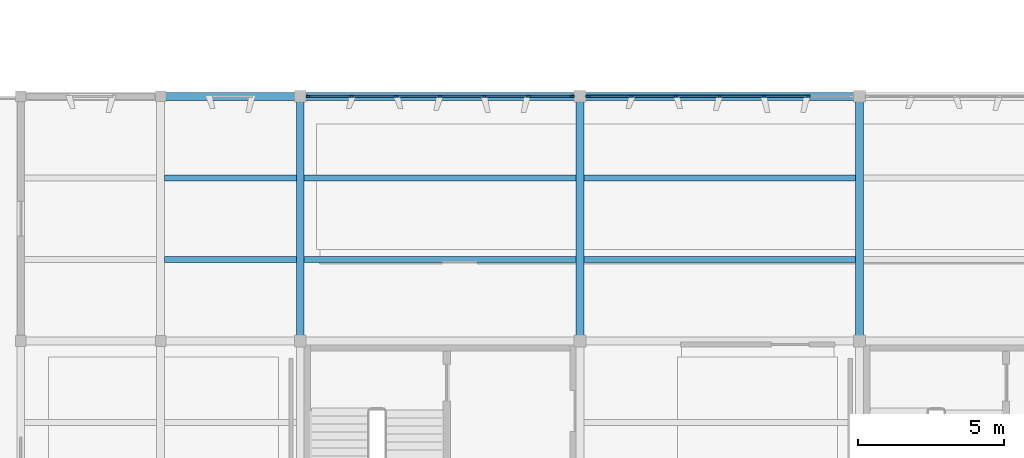
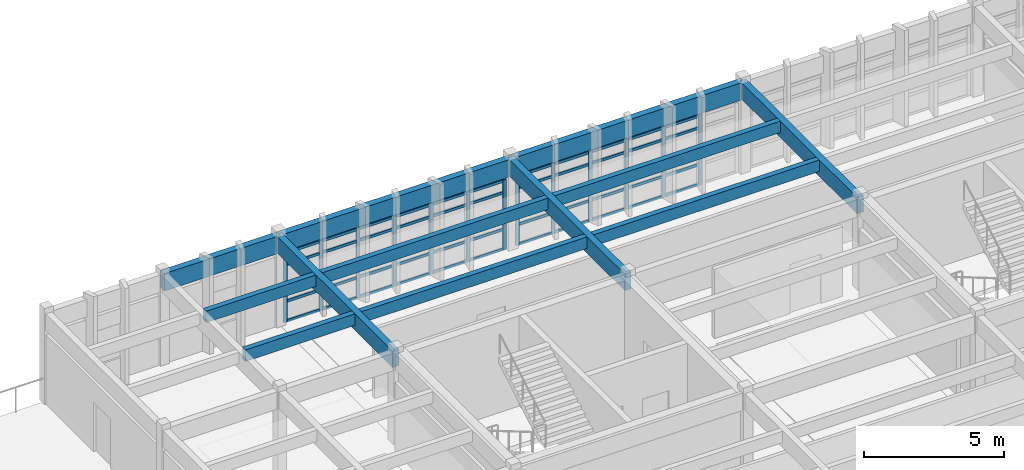
# One storey, part 10 of 42: 57 members, 12 beams, 2 elements without a shape of their own.
"""IFC4 building model written with IfcOpenShell, lengths in metres."""

import ifcopenshell
import ifcopenshell.guid

model = None  # the IFC model being written
_history = None  # IfcOwnerHistory: only IFC2X3 demands one
_inside = {}  # id of a spatial element -> (the spatial element, [elements in it])
_under = {}  # id of a project, library or spatial element -> (it, [spatial elements below it])
_declared = {}  # id of a project -> (the project, [libraries it declares])
_typed = {}  # id of a type object -> (the type object, [elements of that type])
_made_of = {}  # id of a material, layer set ... -> (it, [elements and type objects made of it])


def new_model(schema):
    """Start an empty IFC model of exactly this schema.

    Asked for "IFC4X3", IfcOpenShell would pick the latest addendum, in which some entities
    have other attributes; the version numbers below select the first issue.
    IFC2X3 requires an IfcOwnerHistory on every rooted entity: one is made here for all.
    """
    global model, _history
    if schema == "IFC4X3":
        model = ifcopenshell.file(schema_version=(4, 3, 0, 0))
    else:
        model = ifcopenshell.file(schema=schema)
    _inside.clear()
    _under.clear()
    _declared.clear()
    _typed.clear()
    _made_of.clear()
    _history = None
    if model.schema == "IFC2X3":
        org = make("IfcOrganization", Name="unknown")
        user = make(
            "IfcPersonAndOrganization",
            ThePerson=make("IfcPerson", FamilyName="unknown"),
            TheOrganization=org,
        )
        app = make(
            "IfcApplication",
            ApplicationDeveloper=org,
            Version="unknown",
            ApplicationFullName="unknown",
            ApplicationIdentifier="unknown",
        )
        _history = make(
            "IfcOwnerHistory",
            OwningUser=user,
            OwningApplication=app,
            ChangeAction="ADDED",
            CreationDate=0,
        )
    return model


def make(cls, **values):
    """One entity of the class cls with the attributes given. An attribute that is None is left unset."""
    return model.create_entity(
        cls, **{name: value for name, value in values.items() if value is not None}
    )


def rooted(cls, **values):
    """An entity with a GlobalId (a new one), such as an element, a storey or a relation."""
    return make(cls, GlobalId=ifcopenshell.guid.new(), OwnerHistory=_history, **values)


def si_unit(unit_type, name, prefix=None):
    """IfcSIUnit, for example si_unit("LENGTHUNIT", "METRE", prefix="MILLI")."""
    return make("IfcSIUnit", UnitType=unit_type, Prefix=prefix, Name=name)


def assignment(units):
    """IfcUnitAssignment: the units of a project."""
    return None if units is None else make("IfcUnitAssignment", Units=units)


def point(xyz):
    """IfcCartesianPoint."""
    return None if xyz is None else make("IfcCartesianPoint", Coordinates=xyz)


def direction(xyz):
    """IfcDirection."""
    return None if xyz is None else make("IfcDirection", DirectionRatios=xyz)


def frame(location, z_axis=None, x_axis=None):
    """IfcAxis2Placement3D, a coordinate frame: its origin and axes. An axis left out is left unset."""
    return make(
        "IfcAxis2Placement3D",
        Location=point(location),
        Axis=direction(z_axis),
        RefDirection=direction(x_axis),
    )


def frame_2d(location, x_axis=None):
    """IfcAxis2Placement2D, a coordinate frame in the plane: its origin and x axis."""
    return make(
        "IfcAxis2Placement2D", Location=point(location), RefDirection=direction(x_axis)
    )


def origin():
    """The frame at (0, 0, 0) with its axes left unset."""
    return frame((0.0, 0.0, 0.0))


def origin_2d():
    """The frame at (0, 0) in the plane with its x axis left unset."""
    return frame_2d((0.0, 0.0))


def place(relative_to, where):
    """IfcLocalPlacement: puts the frame where relative to a parent placement (None: the world)."""
    return make(
        "IfcLocalPlacement", PlacementRelTo=relative_to, RelativePlacement=where
    )


def context(
    kind, dimensions, precision=None, world=None, true_north=None, identifier=None
):
    """IfcGeometricRepresentationContext, for example the 3D "Model" context."""
    return make(
        "IfcGeometricRepresentationContext",
        ContextIdentifier=identifier,
        ContextType=kind,
        CoordinateSpaceDimension=dimensions,
        Precision=precision,
        WorldCoordinateSystem=world,
        TrueNorth=true_north,
    )


def subcontext(parent, identifier, kind, view, scale=None):
    """IfcGeometricRepresentationSubContext, for example "Body" below "Model"."""
    return make(
        "IfcGeometricRepresentationSubContext",
        ContextIdentifier=identifier,
        ContextType=kind,
        ParentContext=parent,
        TargetScale=scale,
        TargetView=view,
    )


def project(units=None, contexts=None):
    """IfcProject with its units and contexts."""
    return rooted(
        "IfcProject",
        Name="project",
        RepresentationContexts=contexts,
        UnitsInContext=assignment(units),
    )


def spatial(cls, under=None, at=None, **own):
    """A site, building, storey or space (cls), placed at a placement, below another one or the project."""
    s = rooted(cls, ObjectPlacement=at, **own)
    if under is not None:
        _under.setdefault(under.id(), (under, []))[1].append(s)
    return s


def profile(cls, at=None, kind="AREA", **sizes):
    """A parametric profile (cls). Its sizes go by their IFC names, for example OverallWidth=200.0."""
    return make(cls, ProfileType=kind, Position=at, **sizes)


def rectangle(**sizes):
    """IfcRectangleProfileDef."""
    return profile("IfcRectangleProfileDef", **sizes)


def extrude(swept, where, along, depth):
    """IfcExtrudedAreaSolid: the profile swept, set in the frame where, extruded along a direction by depth."""
    return make(
        "IfcExtrudedAreaSolid",
        SweptArea=swept,
        Position=where,
        ExtrudedDirection=direction(along),
        Depth=depth,
    )


def shape(context_of_items, identifier, shape_type, items):
    """IfcShapeRepresentation: the items that make up one representation, for example the "Body"."""
    return make(
        "IfcShapeRepresentation",
        ContextOfItems=context_of_items,
        RepresentationIdentifier=identifier,
        RepresentationType=shape_type,
        Items=items,
    )


def material(Name=None, Category=None):
    """IfcMaterial."""
    return make("IfcMaterial", Name=Name, Category=Category)


def layer(
    of_material, thickness, ventilated=None, Name=None, Category=None, Priority=None
):
    """IfcMaterialLayer: one layer of a wall or slab, of a material (None: an air gap)."""
    return make(
        "IfcMaterialLayer",
        Material=of_material,
        LayerThickness=thickness,
        IsVentilated=ventilated,
        Name=Name,
        Category=Category,
        Priority=Priority,
    )


def layer_set(layers, Name=None):
    """IfcMaterialLayerSet."""
    return make("IfcMaterialLayerSet", MaterialLayers=layers, LayerSetName=Name)


def material_profile(
    of_material, cross_section, Name=None, Category=None, Priority=None
):
    """IfcMaterialProfile: a cross section and its material."""
    return make(
        "IfcMaterialProfile",
        Name=Name,
        Material=of_material,
        Profile=cross_section,
        Priority=Priority,
        Category=Category,
    )


def profile_set(profiles, Name=None, composite=None):
    """IfcMaterialProfileSet."""
    return make(
        "IfcMaterialProfileSet",
        Name=Name,
        MaterialProfiles=profiles,
        CompositeProfile=composite,
    )


def made_of(thing, what):
    """Note that an element or type object is made of a material, layer set ...; save() writes the relation."""
    if what is not None:
        _made_of.setdefault(what.id(), (what, []))[1].append(thing)
    return thing


def type_object(cls, material=None, **own):
    """A type object (cls), such as IfcWallType, which elements share."""
    return made_of(rooted(cls, **own), material)


def element(
    cls,
    number,
    at=None,
    inside=None,
    cuts=None,
    type_object=None,
    material=None,
    context=None,
    identifier="Body",
    shape_type=None,
    held_by="IfcProductDefinitionShape",
    body=None,
    shapes=None,
    **own,
):
    """One element of the class cls, such as IfcWall. Its Tag is "e" and its number.

    at: its placement. inside: the storey or other place that contains it. cuts: it is an
    opening in that element (IfcRelVoidsElement). A single representation is given by context,
    identifier, shape_type and body (its items); several are given by shapes. held_by: the class
    of the entity that holds the representations. save() writes the other relations.
    """
    e = rooted(cls, Tag="e%d" % number, ObjectPlacement=at, **own)
    if body is not None:
        shapes = [shape(context, identifier, shape_type, body)]
    if shapes is not None:
        e.Representation = make(held_by, Representations=shapes)
    if inside is not None:
        _inside.setdefault(inside.id(), (inside, []))[1].append(e)
    if cuts is not None:
        rooted(
            "IfcRelVoidsElement", RelatingBuildingElement=cuts, RelatedOpeningElement=e
        )
    if type_object is not None:
        _typed.setdefault(type_object.id(), (type_object, []))[1].append(e)
    return made_of(e, material)


def aggregate(whole, parts):
    """IfcRelAggregates: a whole, such as a stair, and the parts it consists of."""
    return rooted("IfcRelAggregates", RelatingObject=whole, RelatedObjects=parts)


def save(model, path):
    """Write the relations noted so far, then the file.

    IfcRelAggregates (storeys below a building ...), IfcRelContainedInSpatialStructure (elements
    in a storey), IfcRelDefinesByType, IfcRelAssociatesMaterial and IfcRelDeclares: one each for
    every whole, place, type object, material and project.
    """
    for whole, parts in _under.values():
        aggregate(whole, parts)
    for where, things in _inside.values():
        rooted(
            "IfcRelContainedInSpatialStructure",
            RelatedElements=things,
            RelatingStructure=where,
        )
    for kind, things in _typed.values():
        rooted("IfcRelDefinesByType", RelatedObjects=things, RelatingType=kind)
    for what, things in _made_of.values():
        rooted("IfcRelAssociatesMaterial", RelatedObjects=things, RelatingMaterial=what)
    for by, libraries in _declared.values():
        rooted("IfcRelDeclares", RelatingContext=by, RelatedDefinitions=libraries)
    model.write(path)


model = new_model("IFC4")

# Units and contexts
model_context = context("Model", 3, precision=1e-05, world=origin(), true_north=direction((0.0, 1.0)))
body_context = subcontext(model_context, "Body", "Model", "MODEL_VIEW")
ifc_project = project(units=[si_unit("LENGTHUNIT", "METRE"), si_unit("AREAUNIT", "SQUARE_METRE"), si_unit("VOLUMEUNIT", "CUBIC_METRE"), si_unit("PLANEANGLEUNIT", "RADIAN"), si_unit("MASSUNIT", "GRAM", prefix="KILO")], contexts=[model_context])

# Site, building, storey
site_placement = place(None, origin())
site = spatial("IfcSite", under=ifc_project, at=site_placement, CompositionType="ELEMENT")
building_placement = place(site_placement, origin())
building = spatial("IfcBuilding", under=site, at=building_placement, Name="Kolvemor Railside Polytechnic", CompositionType="ELEMENT")
storey_placement = place(building_placement, frame((0.0, 0.0, 14.39990234375)))
storey = spatial("IfcBuildingStorey", under=building, at=storey_placement, Name="L03", CompositionType="ELEMENT", Elevation=14.39990234375)

# Beams
ifc_material_1 = material(Name="Glulam GL28h", Category="wood")
ifc_material_profile_1 = material_profile(ifc_material_1, rectangle(XDim=0.264892578125, YDim=0.760009765625, at=origin_2d()), Name="GL265x760")
ifc_profile_set_1 = profile_set([ifc_material_profile_1], Name="Glulam GL28h")
beam_type_1 = type_object("IfcBeamType", Name="BM-GL-GIRD1", PredefinedType="BEAM", material=ifc_profile_set_1)
beam_1_placement = place(storey_placement, frame((62.39990234375, 38.39990234375, 3.570068359375), z_axis=(1.0, 0.0, 0.0), x_axis=(0.0, 1.0, 0.0)))
element("IfcBeam", 1, at=beam_1_placement, inside=storey, type_object=beam_type_1, Name="Primary Girder L04-GX 1404", PredefinedType="BEAM", context=body_context, shape_type="SweptSolid", body=[
    extrude(rectangle(XDim=0.264892578125, YDim=0.760009765625, at=origin_2d()), origin(), (0.0, 0.0, 1.0), 4.800048828125),
])
beam_2_placement = place(storey_placement, frame((67.199951171875, 38.39990234375, 3.570068359375), z_axis=(1.0, 0.0, 0.0), x_axis=(0.0, 1.0, 0.0)))
element("IfcBeam", 2, at=beam_2_placement, inside=storey, type_object=beam_type_1, Name="Primary Girder L04-GX 1405", PredefinedType="BEAM", context=body_context, shape_type="SweptSolid", body=[
    extrude(rectangle(XDim=0.264892578125, YDim=0.760009765625, at=origin_2d()), origin(), (0.0, 0.0, 1.0), 9.60009765625),
])
beam_3_placement = place(storey_placement, frame((76.800048828125, 38.39990234375, 3.570068359375), z_axis=(1.0, 0.0, 0.0), x_axis=(0.0, 1.0, 0.0)))
element("IfcBeam", 3, at=beam_3_placement, inside=storey, type_object=beam_type_1, Name="Primary Girder L04-GX 1406", PredefinedType="BEAM", context=body_context, shape_type="SweptSolid", body=[
    extrude(rectangle(XDim=0.264892578125, YDim=0.760009765625, at=origin_2d()), origin(), (0.0, 0.0, 1.0), 9.599853515625),
])
ifc_material_2 = material(Name="Glulam GL28h", Category="wood")
ifc_material_profile_2 = material_profile(ifc_material_2, rectangle(XDim=0.264892578125, YDim=0.719970703125, at=origin_2d()), Name="GL265x720")
ifc_profile_set_2 = profile_set([ifc_material_profile_2], Name="Glulam GL28h")
beam_type_2 = type_object("IfcBeamType", Name="BM-GL-GIRD4", PredefinedType="BEAM", material=ifc_profile_set_2)
for number, where, z_axis, x_axis, name in (
    (4, (67.199951171875, 30.0, 3.590087890625), (0.0, 1.0, 0.0), (-1.0, 0.0, 0.0), "Primary Girder L04-GY 1423"),
    (5, (76.800048828125, 30.0, 3.590087890625), (0.0, 1.0, 0.0), (-1.0, 0.0, 0.0), "Primary Girder L04-GY 1427"),
    (6, (86.39990234375, 30.0, 3.590087890625), (0.0, 1.0, 0.0), (-1.0, 0.0, 0.0), "Primary Girder L04-GY 1431"),
):
    element("IfcBeam", number, at=place(storey_placement, frame(where, z_axis=z_axis, x_axis=x_axis)), inside=storey, type_object=beam_type_2, Name=name, PredefinedType="BEAM", context=body_context, shape_type="SweptSolid", body=[
        extrude(rectangle(XDim=0.264892578125, YDim=0.719970703125, at=origin_2d()), origin(), (0.0, 0.0, 1.0), 8.39990234375),
    ])
ifc_material_3 = material(Name="Glulam GL28h", Category="wood")
ifc_material_profile_3 = material_profile(ifc_material_3, rectangle(XDim=0.215087890625, YDim=0.5, at=origin_2d()), Name="GL215x500")
ifc_profile_set_3 = profile_set([ifc_material_profile_3], Name="Glulam GL28h")
beam_type_3 = type_object("IfcBeamType", Name="BM-GL-JST3", PredefinedType="JOIST", material=ifc_profile_set_3)
for number, where, z_axis, x_axis, name in (
    (7, (62.532958984375, 32.800048828125, 3.7001953125), (1.0, 0.0, 0.0), (0.0, 1.0, 0.0), "Floor Joist L04-J1466"),
    (8, (62.532958984375, 35.60009765625, 3.7001953125), (1.0, 0.0, 0.0), (0.0, 1.0, 0.0), "Floor Joist L04-J1467"),
):
    element("IfcBeam", number, at=place(storey_placement, frame(where, z_axis=z_axis, x_axis=x_axis)), inside=storey, type_object=beam_type_3, Name=name, PredefinedType="JOIST", context=body_context, shape_type="SweptSolid", body=[
        extrude(rectangle(XDim=0.215087890625, YDim=0.5, at=origin_2d()), origin(), (0.0, 0.0, 1.0), 4.533935546875),
    ])
for number, where, z_axis, x_axis, name in (
    (9, (67.3330078125, 32.800048828125, 3.7001953125), (1.0, 0.0, 0.0), (0.0, 1.0, 0.0), "Floor Joist L04-J1472"),
    (10, (67.3330078125, 35.60009765625, 3.7001953125), (1.0, 0.0, 0.0), (0.0, 1.0, 0.0), "Floor Joist L04-J1473"),
    (11, (76.93310546875, 32.800048828125, 3.7001953125), (1.0, 0.0, 0.0), (0.0, 1.0, 0.0), "Floor Joist L04-J1480"),
    (12, (76.93310546875, 35.60009765625, 3.7001953125), (1.0, 0.0, 0.0), (0.0, 1.0, 0.0), "Floor Joist L04-J1481"),
):
    element("IfcBeam", number, at=place(storey_placement, frame(where, z_axis=z_axis, x_axis=x_axis)), inside=storey, type_object=beam_type_3, Name=name, PredefinedType="JOIST", context=body_context, shape_type="SweptSolid", body=[
        extrude(rectangle(XDim=0.215087890625, YDim=0.5, at=origin_2d()), origin(), (0.0, 0.0, 1.0), 9.333984375),
    ])

# Curtain wall, members
ifc_material_4 = material(Name="Anodised marine aluminium and laminated low-E glass", Category="aluminium")
ifc_layer = layer(ifc_material_4, 0.179931640625, Name="CW-UNIT-STD")
ifc_layer_set = layer_set([ifc_layer], Name="Anodised marine aluminium and laminated low-E glass")
curtain_wall_type = type_object("IfcCurtainWallType", Name="CW-UNIT-STD", PredefinedType="USERDEFINED", material=ifc_layer_set)
curtain_wall_1_placement = place(storey_placement, origin())
curtain_wall_1 = element("IfcCurtainWall", 13, at=curtain_wall_1_placement, inside=storey, type_object=curtain_wall_type, Name="Curtain Wall L03-126", ObjectType="UNITISED CURTAIN WALL", PredefinedType="USERDEFINED")
ifc_material_5 = material(Name="Anodised marine aluminium 6063-T6", Category="aluminium")
ifc_material_profile_4 = material_profile(ifc_material_5, rectangle(XDim=0.06494140625, YDim=0.14990234375, at=origin_2d()), Name="CW-MUL-65x150")
ifc_profile_set_4 = profile_set([ifc_material_profile_4], Name="Anodised marine aluminium 6063-T6")
member_type_1 = type_object("IfcMemberType", Name="CWM-65x150", PredefinedType="MULLION", material=ifc_profile_set_4)
member_1_placement = place(storey_placement, frame((76.527587890625, 38.39990234375, 0.0), z_axis=(0.0, 0.0, 1.0), x_axis=(0.0, -1.0, 0.0)))
member_1 = element("IfcMember", 14, at=member_1_placement, type_object=member_type_1, Name="CW-STD mullion 1", PredefinedType="MULLION", context=body_context, shape_type="SweptSolid", body=[
    extrude(rectangle(XDim=0.06494140625, YDim=0.14990234375, at=origin_2d()), origin(), (0.0, 0.0, 1.0), 3.050048828125),
])
member_2_placement = place(storey_placement, frame((75.0400390625, 38.39990234375, 0.0), z_axis=(0.0, 0.0, 1.0), x_axis=(0.0, -1.0, 0.0)))
member_2 = element("IfcMember", 15, at=member_2_placement, type_object=member_type_1, Name="CW-STD mullion 2", PredefinedType="MULLION", context=body_context, shape_type="SweptSolid", body=[
    extrude(rectangle(XDim=0.06494140625, YDim=0.14990234375, at=origin_2d()), origin(), (0.0, 0.0, 1.0), 3.050048828125),
])
member_3_placement = place(storey_placement, frame((73.52001953125, 38.39990234375, 0.0), z_axis=(0.0, 0.0, 1.0), x_axis=(0.0, -1.0, 0.0)))
member_3 = element("IfcMember", 16, at=member_3_placement, type_object=member_type_1, Name="CW-STD mullion 3", PredefinedType="MULLION", context=body_context, shape_type="SweptSolid", body=[
    extrude(rectangle(XDim=0.06494140625, YDim=0.14990234375, at=origin_2d()), origin(), (0.0, 0.0, 1.0), 3.050048828125),
])
member_4_placement = place(storey_placement, frame((72.0, 38.39990234375, 0.0), z_axis=(0.0, 0.0, 1.0), x_axis=(0.0, -1.0, 0.0)))
member_4 = element("IfcMember", 17, at=member_4_placement, type_object=member_type_1, Name="CW-STD mullion 4", PredefinedType="MULLION", context=body_context, shape_type="SweptSolid", body=[
    extrude(rectangle(XDim=0.06494140625, YDim=0.14990234375, at=origin_2d()), origin(), (0.0, 0.0, 1.0), 3.050048828125),
])
member_5_placement = place(storey_placement, frame((70.47998046875, 38.39990234375, 0.0), z_axis=(0.0, 0.0, 1.0), x_axis=(0.0, -1.0, 0.0)))
member_5 = element("IfcMember", 18, at=member_5_placement, type_object=member_type_1, Name="CW-STD mullion 5", PredefinedType="MULLION", context=body_context, shape_type="SweptSolid", body=[
    extrude(rectangle(XDim=0.06494140625, YDim=0.14990234375, at=origin_2d()), origin(), (0.0, 0.0, 1.0), 3.050048828125),
])
member_6_placement = place(storey_placement, frame((68.9599609375, 38.39990234375, 0.0), z_axis=(0.0, 0.0, 1.0), x_axis=(0.0, -1.0, 0.0)))
member_6 = element("IfcMember", 19, at=member_6_placement, type_object=member_type_1, Name="CW-STD mullion 6", PredefinedType="MULLION", context=body_context, shape_type="SweptSolid", body=[
    extrude(rectangle(XDim=0.06494140625, YDim=0.14990234375, at=origin_2d()), origin(), (0.0, 0.0, 1.0), 3.050048828125),
])
member_7_placement = place(storey_placement, frame((67.472412109375, 38.39990234375, 0.0), z_axis=(0.0, 0.0, 1.0), x_axis=(0.0, -1.0, 0.0)))
member_7 = element("IfcMember", 20, at=member_7_placement, type_object=member_type_1, Name="CW-STD mullion 7", PredefinedType="MULLION", context=body_context, shape_type="SweptSolid", body=[
    extrude(rectangle(XDim=0.06494140625, YDim=0.14990234375, at=origin_2d()), origin(), (0.0, 0.0, 1.0), 3.050048828125),
])

curtain_wall_2_placement = place(storey_placement, origin())
curtain_wall_2 = element("IfcCurtainWall", 21, at=curtain_wall_2_placement, inside=storey, type_object=curtain_wall_type, Name="Curtain Wall L03-127", ObjectType="UNITISED CURTAIN WALL", PredefinedType="USERDEFINED")
member_8_placement = place(storey_placement, frame((84.639892578125, 38.39990234375, 0.0), z_axis=(0.0, 0.0, 1.0), x_axis=(0.0, -1.0, 0.0)))
member_8 = element("IfcMember", 22, at=member_8_placement, type_object=member_type_1, Name="CW-STD mullion 2", PredefinedType="MULLION", context=body_context, shape_type="SweptSolid", body=[
    extrude(rectangle(XDim=0.06494140625, YDim=0.14990234375, at=origin_2d()), origin(), (0.0, 0.0, 1.0), 3.050048828125),
])
member_9_placement = place(storey_placement, frame((83.1201171875, 38.39990234375, 0.0), z_axis=(0.0, 0.0, 1.0), x_axis=(0.0, -1.0, 0.0)))
member_9 = element("IfcMember", 23, at=member_9_placement, type_object=member_type_1, Name="CW-STD mullion 3", PredefinedType="MULLION", context=body_context, shape_type="SweptSolid", body=[
    extrude(rectangle(XDim=0.06494140625, YDim=0.14990234375, at=origin_2d()), origin(), (0.0, 0.0, 1.0), 3.050048828125),
])
member_10_placement = place(storey_placement, frame((81.60009765625, 38.39990234375, 0.0), z_axis=(0.0, 0.0, 1.0), x_axis=(0.0, -1.0, 0.0)))
member_10 = element("IfcMember", 24, at=member_10_placement, type_object=member_type_1, Name="CW-STD mullion 4", PredefinedType="MULLION", context=body_context, shape_type="SweptSolid", body=[
    extrude(rectangle(XDim=0.06494140625, YDim=0.14990234375, at=origin_2d()), origin(), (0.0, 0.0, 1.0), 3.050048828125),
])
member_11_placement = place(storey_placement, frame((80.080078125, 38.39990234375, 0.0), z_axis=(0.0, 0.0, 1.0), x_axis=(0.0, -1.0, 0.0)))
member_11 = element("IfcMember", 25, at=member_11_placement, type_object=member_type_1, Name="CW-STD mullion 5", PredefinedType="MULLION", context=body_context, shape_type="SweptSolid", body=[
    extrude(rectangle(XDim=0.06494140625, YDim=0.14990234375, at=origin_2d()), origin(), (0.0, 0.0, 1.0), 3.050048828125),
])
member_12_placement = place(storey_placement, frame((78.56005859375, 38.39990234375, 0.0), z_axis=(0.0, 0.0, 1.0), x_axis=(0.0, -1.0, 0.0)))
member_12 = element("IfcMember", 26, at=member_12_placement, type_object=member_type_1, Name="CW-STD mullion 6", PredefinedType="MULLION", context=body_context, shape_type="SweptSolid", body=[
    extrude(rectangle(XDim=0.06494140625, YDim=0.14990234375, at=origin_2d()), origin(), (0.0, 0.0, 1.0), 3.050048828125),
])
member_13_placement = place(storey_placement, frame((77.072509765625, 38.39990234375, 0.0), z_axis=(0.0, 0.0, 1.0), x_axis=(0.0, -1.0, 0.0)))
member_13 = element("IfcMember", 27, at=member_13_placement, type_object=member_type_1, Name="CW-STD mullion 7", PredefinedType="MULLION", context=body_context, shape_type="SweptSolid", body=[
    extrude(rectangle(XDim=0.06494140625, YDim=0.14990234375, at=origin_2d()), origin(), (0.0, 0.0, 1.0), 3.050048828125),
])

# Member
ifc_material_6 = material(Name="Anodised marine aluminium 6063-T6", Category="aluminium")
ifc_material_profile_5 = material_profile(ifc_material_6, rectangle(XDim=0.06494140625, YDim=0.1201171875, at=origin_2d()), Name="CW-TRN-65x120")
ifc_profile_set_5 = profile_set([ifc_material_profile_5], Name="Anodised marine aluminium 6063-T6")
member_type_2 = type_object("IfcMemberType", Name="CWT-65x120", PredefinedType="USERDEFINED", material=ifc_profile_set_5)
member_14_placement = place(storey_placement, frame((76.4951171875, 38.39990234375, 0.03271484375), z_axis=(-1.0, 0.0, 0.0), x_axis=(0.0, -1.0, 0.0)))
member_14 = element("IfcMember", 28, at=member_14_placement, type_object=member_type_2, Name="CW-STD transom 1.1", ObjectType="TRANSOM", PredefinedType="USERDEFINED", context=body_context, shape_type="SweptSolid", body=[
    extrude(rectangle(XDim=0.06494140625, YDim=0.1201171875, at=origin_2d()), origin(), (0.0, 0.0, 1.0), 1.422607421875),
])

member_15_placement = place(storey_placement, frame((76.4951171875, 38.39990234375, 0.900146484375), z_axis=(-1.0, 0.0, 0.0), x_axis=(0.0, -1.0, 0.0)))
member_15 = element("IfcMember", 29, at=member_15_placement, type_object=member_type_2, Name="CW-STD transom 1.2", ObjectType="TRANSOM", PredefinedType="USERDEFINED", context=body_context, shape_type="SweptSolid", body=[
    extrude(rectangle(XDim=0.06494140625, YDim=0.1201171875, at=origin_2d()), origin(), (0.0, 0.0, 1.0), 1.422607421875),
])

member_16_placement = place(storey_placement, frame((76.4951171875, 38.39990234375, 2.5), z_axis=(-1.0, 0.0, 0.0), x_axis=(0.0, -1.0, 0.0)))
member_16 = element("IfcMember", 30, at=member_16_placement, type_object=member_type_2, Name="CW-STD transom 1.3", ObjectType="TRANSOM", PredefinedType="USERDEFINED", context=body_context, shape_type="SweptSolid", body=[
    extrude(rectangle(XDim=0.06494140625, YDim=0.1201171875, at=origin_2d()), origin(), (0.0, 0.0, 1.0), 1.422607421875),
])

member_17_placement = place(storey_placement, frame((76.4951171875, 38.39990234375, 3.017578125), z_axis=(-1.0, 0.0, 0.0), x_axis=(0.0, -1.0, 0.0)))
member_17 = element("IfcMember", 31, at=member_17_placement, type_object=member_type_2, Name="CW-STD transom 1.4", ObjectType="TRANSOM", PredefinedType="USERDEFINED", context=body_context, shape_type="SweptSolid", body=[
    extrude(rectangle(XDim=0.06494140625, YDim=0.1201171875, at=origin_2d()), origin(), (0.0, 0.0, 1.0), 1.422607421875),
])

member_18_placement = place(storey_placement, frame((75.007568359375, 38.39990234375, 0.03271484375), z_axis=(-1.0, 0.0, 0.0), x_axis=(0.0, -1.0, 0.0)))
member_18 = element("IfcMember", 32, at=member_18_placement, type_object=member_type_2, Name="CW-STD transom 2.1", ObjectType="TRANSOM", PredefinedType="USERDEFINED", context=body_context, shape_type="SweptSolid", body=[
    extrude(rectangle(XDim=0.06494140625, YDim=0.1201171875, at=origin_2d()), origin(), (0.0, 0.0, 1.0), 1.455078125),
])

member_19_placement = place(storey_placement, frame((75.007568359375, 38.39990234375, 0.900146484375), z_axis=(-1.0, 0.0, 0.0), x_axis=(0.0, -1.0, 0.0)))
member_19 = element("IfcMember", 33, at=member_19_placement, type_object=member_type_2, Name="CW-STD transom 2.2", ObjectType="TRANSOM", PredefinedType="USERDEFINED", context=body_context, shape_type="SweptSolid", body=[
    extrude(rectangle(XDim=0.06494140625, YDim=0.1201171875, at=origin_2d()), origin(), (0.0, 0.0, 1.0), 1.455078125),
])

member_20_placement = place(storey_placement, frame((75.007568359375, 38.39990234375, 2.5), z_axis=(-1.0, 0.0, 0.0), x_axis=(0.0, -1.0, 0.0)))
member_20 = element("IfcMember", 34, at=member_20_placement, type_object=member_type_2, Name="CW-STD transom 2.3", ObjectType="TRANSOM", PredefinedType="USERDEFINED", context=body_context, shape_type="SweptSolid", body=[
    extrude(rectangle(XDim=0.06494140625, YDim=0.1201171875, at=origin_2d()), origin(), (0.0, 0.0, 1.0), 1.455078125),
])

member_21_placement = place(storey_placement, frame((75.007568359375, 38.39990234375, 3.017578125), z_axis=(-1.0, 0.0, 0.0), x_axis=(0.0, -1.0, 0.0)))
member_21 = element("IfcMember", 35, at=member_21_placement, type_object=member_type_2, Name="CW-STD transom 2.4", ObjectType="TRANSOM", PredefinedType="USERDEFINED", context=body_context, shape_type="SweptSolid", body=[
    extrude(rectangle(XDim=0.06494140625, YDim=0.1201171875, at=origin_2d()), origin(), (0.0, 0.0, 1.0), 1.455078125),
])

member_22_placement = place(storey_placement, frame((73.487548828125, 38.39990234375, 0.03271484375), z_axis=(-1.0, 0.0, 0.0), x_axis=(0.0, -1.0, 0.0)))
member_22 = element("IfcMember", 36, at=member_22_placement, type_object=member_type_2, Name="CW-STD transom 3.1", ObjectType="TRANSOM", PredefinedType="USERDEFINED", context=body_context, shape_type="SweptSolid", body=[
    extrude(rectangle(XDim=0.06494140625, YDim=0.1201171875, at=origin_2d()), origin(), (0.0, 0.0, 1.0), 1.455078125),
])

member_23_placement = place(storey_placement, frame((73.487548828125, 38.39990234375, 0.900146484375), z_axis=(-1.0, 0.0, 0.0), x_axis=(0.0, -1.0, 0.0)))
member_23 = element("IfcMember", 37, at=member_23_placement, type_object=member_type_2, Name="CW-STD transom 3.2", ObjectType="TRANSOM", PredefinedType="USERDEFINED", context=body_context, shape_type="SweptSolid", body=[
    extrude(rectangle(XDim=0.06494140625, YDim=0.1201171875, at=origin_2d()), origin(), (0.0, 0.0, 1.0), 1.455078125),
])

member_24_placement = place(storey_placement, frame((73.487548828125, 38.39990234375, 2.5), z_axis=(-1.0, 0.0, 0.0), x_axis=(0.0, -1.0, 0.0)))
member_24 = element("IfcMember", 38, at=member_24_placement, type_object=member_type_2, Name="CW-STD transom 3.3", ObjectType="TRANSOM", PredefinedType="USERDEFINED", context=body_context, shape_type="SweptSolid", body=[
    extrude(rectangle(XDim=0.06494140625, YDim=0.1201171875, at=origin_2d()), origin(), (0.0, 0.0, 1.0), 1.455078125),
])

member_25_placement = place(storey_placement, frame((73.487548828125, 38.39990234375, 3.017578125), z_axis=(-1.0, 0.0, 0.0), x_axis=(0.0, -1.0, 0.0)))
member_25 = element("IfcMember", 39, at=member_25_placement, type_object=member_type_2, Name="CW-STD transom 3.4", ObjectType="TRANSOM", PredefinedType="USERDEFINED", context=body_context, shape_type="SweptSolid", body=[
    extrude(rectangle(XDim=0.06494140625, YDim=0.1201171875, at=origin_2d()), origin(), (0.0, 0.0, 1.0), 1.455078125),
])

member_26_placement = place(storey_placement, frame((71.967529296875, 38.39990234375, 0.03271484375), z_axis=(-1.0, 0.0, 0.0), x_axis=(0.0, -1.0, 0.0)))
member_26 = element("IfcMember", 40, at=member_26_placement, type_object=member_type_2, Name="CW-STD transom 4.1", ObjectType="TRANSOM", PredefinedType="USERDEFINED", context=body_context, shape_type="SweptSolid", body=[
    extrude(rectangle(XDim=0.06494140625, YDim=0.1201171875, at=origin_2d()), origin(), (0.0, 0.0, 1.0), 1.455078125),
])

member_27_placement = place(storey_placement, frame((71.967529296875, 38.39990234375, 0.900146484375), z_axis=(-1.0, 0.0, 0.0), x_axis=(0.0, -1.0, 0.0)))
member_27 = element("IfcMember", 41, at=member_27_placement, type_object=member_type_2, Name="CW-STD transom 4.2", ObjectType="TRANSOM", PredefinedType="USERDEFINED", context=body_context, shape_type="SweptSolid", body=[
    extrude(rectangle(XDim=0.06494140625, YDim=0.1201171875, at=origin_2d()), origin(), (0.0, 0.0, 1.0), 1.455078125),
])

member_28_placement = place(storey_placement, frame((71.967529296875, 38.39990234375, 2.5), z_axis=(-1.0, 0.0, 0.0), x_axis=(0.0, -1.0, 0.0)))
member_28 = element("IfcMember", 42, at=member_28_placement, type_object=member_type_2, Name="CW-STD transom 4.3", ObjectType="TRANSOM", PredefinedType="USERDEFINED", context=body_context, shape_type="SweptSolid", body=[
    extrude(rectangle(XDim=0.06494140625, YDim=0.1201171875, at=origin_2d()), origin(), (0.0, 0.0, 1.0), 1.455078125),
])

member_29_placement = place(storey_placement, frame((71.967529296875, 38.39990234375, 3.017578125), z_axis=(-1.0, 0.0, 0.0), x_axis=(0.0, -1.0, 0.0)))
member_29 = element("IfcMember", 43, at=member_29_placement, type_object=member_type_2, Name="CW-STD transom 4.4", ObjectType="TRANSOM", PredefinedType="USERDEFINED", context=body_context, shape_type="SweptSolid", body=[
    extrude(rectangle(XDim=0.06494140625, YDim=0.1201171875, at=origin_2d()), origin(), (0.0, 0.0, 1.0), 1.455078125),
])

member_30_placement = place(storey_placement, frame((70.447509765625, 38.39990234375, 0.03271484375), z_axis=(-1.0, 0.0, 0.0), x_axis=(0.0, -1.0, 0.0)))
member_30 = element("IfcMember", 44, at=member_30_placement, type_object=member_type_2, Name="CW-STD transom 5.1", ObjectType="TRANSOM", PredefinedType="USERDEFINED", context=body_context, shape_type="SweptSolid", body=[
    extrude(rectangle(XDim=0.06494140625, YDim=0.1201171875, at=origin_2d()), origin(), (0.0, 0.0, 1.0), 1.455078125),
])

member_31_placement = place(storey_placement, frame((70.447509765625, 38.39990234375, 0.900146484375), z_axis=(-1.0, 0.0, 0.0), x_axis=(0.0, -1.0, 0.0)))
member_31 = element("IfcMember", 45, at=member_31_placement, type_object=member_type_2, Name="CW-STD transom 5.2", ObjectType="TRANSOM", PredefinedType="USERDEFINED", context=body_context, shape_type="SweptSolid", body=[
    extrude(rectangle(XDim=0.06494140625, YDim=0.1201171875, at=origin_2d()), origin(), (0.0, 0.0, 1.0), 1.455078125),
])

member_32_placement = place(storey_placement, frame((70.447509765625, 38.39990234375, 2.5), z_axis=(-1.0, 0.0, 0.0), x_axis=(0.0, -1.0, 0.0)))
member_32 = element("IfcMember", 46, at=member_32_placement, type_object=member_type_2, Name="CW-STD transom 5.3", ObjectType="TRANSOM", PredefinedType="USERDEFINED", context=body_context, shape_type="SweptSolid", body=[
    extrude(rectangle(XDim=0.06494140625, YDim=0.1201171875, at=origin_2d()), origin(), (0.0, 0.0, 1.0), 1.455078125),
])

member_33_placement = place(storey_placement, frame((70.447509765625, 38.39990234375, 3.017578125), z_axis=(-1.0, 0.0, 0.0), x_axis=(0.0, -1.0, 0.0)))
member_33 = element("IfcMember", 47, at=member_33_placement, type_object=member_type_2, Name="CW-STD transom 5.4", ObjectType="TRANSOM", PredefinedType="USERDEFINED", context=body_context, shape_type="SweptSolid", body=[
    extrude(rectangle(XDim=0.06494140625, YDim=0.1201171875, at=origin_2d()), origin(), (0.0, 0.0, 1.0), 1.455078125),
])

member_34_placement = place(storey_placement, frame((68.927490234375, 38.39990234375, 0.03271484375), z_axis=(-1.0, 0.0, 0.0), x_axis=(0.0, -1.0, 0.0)))
member_34 = element("IfcMember", 48, at=member_34_placement, type_object=member_type_2, Name="CW-STD transom 6.1", ObjectType="TRANSOM", PredefinedType="USERDEFINED", context=body_context, shape_type="SweptSolid", body=[
    extrude(rectangle(XDim=0.06494140625, YDim=0.1201171875, at=origin_2d()), origin(), (0.0, 0.0, 1.0), 1.422607421875),
])

member_35_placement = place(storey_placement, frame((68.927490234375, 38.39990234375, 0.900146484375), z_axis=(-1.0, 0.0, 0.0), x_axis=(0.0, -1.0, 0.0)))
member_35 = element("IfcMember", 49, at=member_35_placement, type_object=member_type_2, Name="CW-STD transom 6.2", ObjectType="TRANSOM", PredefinedType="USERDEFINED", context=body_context, shape_type="SweptSolid", body=[
    extrude(rectangle(XDim=0.06494140625, YDim=0.1201171875, at=origin_2d()), origin(), (0.0, 0.0, 1.0), 1.422607421875),
])

member_36_placement = place(storey_placement, frame((68.927490234375, 38.39990234375, 2.5), z_axis=(-1.0, 0.0, 0.0), x_axis=(0.0, -1.0, 0.0)))
member_36 = element("IfcMember", 50, at=member_36_placement, type_object=member_type_2, Name="CW-STD transom 6.3", ObjectType="TRANSOM", PredefinedType="USERDEFINED", context=body_context, shape_type="SweptSolid", body=[
    extrude(rectangle(XDim=0.06494140625, YDim=0.1201171875, at=origin_2d()), origin(), (0.0, 0.0, 1.0), 1.422607421875),
])

member_37_placement = place(storey_placement, frame((68.927490234375, 38.39990234375, 3.017578125), z_axis=(-1.0, 0.0, 0.0), x_axis=(0.0, -1.0, 0.0)))
member_37 = element("IfcMember", 51, at=member_37_placement, type_object=member_type_2, Name="CW-STD transom 6.4", ObjectType="TRANSOM", PredefinedType="USERDEFINED", context=body_context, shape_type="SweptSolid", body=[
    extrude(rectangle(XDim=0.06494140625, YDim=0.1201171875, at=origin_2d()), origin(), (0.0, 0.0, 1.0), 1.422607421875),
])

aggregate(curtain_wall_1, [member_1, member_2, member_3, member_4, member_5, member_6, member_7, member_14, member_15, member_16, member_17, member_18, member_19, member_20, member_21, member_22, member_23, member_24, member_25, member_26, member_27, member_28, member_29, member_30, member_31, member_32, member_33, member_34, member_35, member_36, member_37])

member_38_placement = place(storey_placement, frame((84.607421875, 38.39990234375, 0.03271484375), z_axis=(-1.0, 0.0, 0.0), x_axis=(0.0, -1.0, 0.0)))
member_38 = element("IfcMember", 52, at=member_38_placement, type_object=member_type_2, Name="CW-STD transom 2.1", ObjectType="TRANSOM", PredefinedType="USERDEFINED", context=body_context, shape_type="SweptSolid", body=[
    extrude(rectangle(XDim=0.06494140625, YDim=0.1201171875, at=origin_2d()), origin(), (0.0, 0.0, 1.0), 1.454833984375),
])

member_39_placement = place(storey_placement, frame((84.607421875, 38.39990234375, 0.900146484375), z_axis=(-1.0, 0.0, 0.0), x_axis=(0.0, -1.0, 0.0)))
member_39 = element("IfcMember", 53, at=member_39_placement, type_object=member_type_2, Name="CW-STD transom 2.2", ObjectType="TRANSOM", PredefinedType="USERDEFINED", context=body_context, shape_type="SweptSolid", body=[
    extrude(rectangle(XDim=0.06494140625, YDim=0.1201171875, at=origin_2d()), origin(), (0.0, 0.0, 1.0), 1.454833984375),
])

member_40_placement = place(storey_placement, frame((84.607421875, 38.39990234375, 2.5), z_axis=(-1.0, 0.0, 0.0), x_axis=(0.0, -1.0, 0.0)))
member_40 = element("IfcMember", 54, at=member_40_placement, type_object=member_type_2, Name="CW-STD transom 2.3", ObjectType="TRANSOM", PredefinedType="USERDEFINED", context=body_context, shape_type="SweptSolid", body=[
    extrude(rectangle(XDim=0.06494140625, YDim=0.1201171875, at=origin_2d()), origin(), (0.0, 0.0, 1.0), 1.454833984375),
])

member_41_placement = place(storey_placement, frame((84.607421875, 38.39990234375, 3.017578125), z_axis=(-1.0, 0.0, 0.0), x_axis=(0.0, -1.0, 0.0)))
member_41 = element("IfcMember", 55, at=member_41_placement, type_object=member_type_2, Name="CW-STD transom 2.4", ObjectType="TRANSOM", PredefinedType="USERDEFINED", context=body_context, shape_type="SweptSolid", body=[
    extrude(rectangle(XDim=0.06494140625, YDim=0.1201171875, at=origin_2d()), origin(), (0.0, 0.0, 1.0), 1.454833984375),
])

member_42_placement = place(storey_placement, frame((83.08740234375, 38.39990234375, 0.03271484375), z_axis=(-1.0, 0.0, 0.0), x_axis=(0.0, -1.0, 0.0)))
member_42 = element("IfcMember", 56, at=member_42_placement, type_object=member_type_2, Name="CW-STD transom 3.1", ObjectType="TRANSOM", PredefinedType="USERDEFINED", context=body_context, shape_type="SweptSolid", body=[
    extrude(rectangle(XDim=0.06494140625, YDim=0.1201171875, at=origin_2d()), origin(), (0.0, 0.0, 1.0), 1.454833984375),
])

member_43_placement = place(storey_placement, frame((83.08740234375, 38.39990234375, 0.900146484375), z_axis=(-1.0, 0.0, 0.0), x_axis=(0.0, -1.0, 0.0)))
member_43 = element("IfcMember", 57, at=member_43_placement, type_object=member_type_2, Name="CW-STD transom 3.2", ObjectType="TRANSOM", PredefinedType="USERDEFINED", context=body_context, shape_type="SweptSolid", body=[
    extrude(rectangle(XDim=0.06494140625, YDim=0.1201171875, at=origin_2d()), origin(), (0.0, 0.0, 1.0), 1.454833984375),
])

member_44_placement = place(storey_placement, frame((83.08740234375, 38.39990234375, 2.5), z_axis=(-1.0, 0.0, 0.0), x_axis=(0.0, -1.0, 0.0)))
member_44 = element("IfcMember", 58, at=member_44_placement, type_object=member_type_2, Name="CW-STD transom 3.3", ObjectType="TRANSOM", PredefinedType="USERDEFINED", context=body_context, shape_type="SweptSolid", body=[
    extrude(rectangle(XDim=0.06494140625, YDim=0.1201171875, at=origin_2d()), origin(), (0.0, 0.0, 1.0), 1.454833984375),
])

member_45_placement = place(storey_placement, frame((83.08740234375, 38.39990234375, 3.017578125), z_axis=(-1.0, 0.0, 0.0), x_axis=(0.0, -1.0, 0.0)))
member_45 = element("IfcMember", 59, at=member_45_placement, type_object=member_type_2, Name="CW-STD transom 3.4", ObjectType="TRANSOM", PredefinedType="USERDEFINED", context=body_context, shape_type="SweptSolid", body=[
    extrude(rectangle(XDim=0.06494140625, YDim=0.1201171875, at=origin_2d()), origin(), (0.0, 0.0, 1.0), 1.454833984375),
])

member_46_placement = place(storey_placement, frame((81.5673828125, 38.39990234375, 0.03271484375), z_axis=(-1.0, 0.0, 0.0), x_axis=(0.0, -1.0, 0.0)))
member_46 = element("IfcMember", 60, at=member_46_placement, type_object=member_type_2, Name="CW-STD transom 4.1", ObjectType="TRANSOM", PredefinedType="USERDEFINED", context=body_context, shape_type="SweptSolid", body=[
    extrude(rectangle(XDim=0.06494140625, YDim=0.1201171875, at=origin_2d()), origin(), (0.0, 0.0, 1.0), 1.454833984375),
])

member_47_placement = place(storey_placement, frame((81.5673828125, 38.39990234375, 0.900146484375), z_axis=(-1.0, 0.0, 0.0), x_axis=(0.0, -1.0, 0.0)))
member_47 = element("IfcMember", 61, at=member_47_placement, type_object=member_type_2, Name="CW-STD transom 4.2", ObjectType="TRANSOM", PredefinedType="USERDEFINED", context=body_context, shape_type="SweptSolid", body=[
    extrude(rectangle(XDim=0.06494140625, YDim=0.1201171875, at=origin_2d()), origin(), (0.0, 0.0, 1.0), 1.454833984375),
])

member_48_placement = place(storey_placement, frame((81.5673828125, 38.39990234375, 2.5), z_axis=(-1.0, 0.0, 0.0), x_axis=(0.0, -1.0, 0.0)))
member_48 = element("IfcMember", 62, at=member_48_placement, type_object=member_type_2, Name="CW-STD transom 4.3", ObjectType="TRANSOM", PredefinedType="USERDEFINED", context=body_context, shape_type="SweptSolid", body=[
    extrude(rectangle(XDim=0.06494140625, YDim=0.1201171875, at=origin_2d()), origin(), (0.0, 0.0, 1.0), 1.454833984375),
])

member_49_placement = place(storey_placement, frame((81.5673828125, 38.39990234375, 3.017578125), z_axis=(-1.0, 0.0, 0.0), x_axis=(0.0, -1.0, 0.0)))
member_49 = element("IfcMember", 63, at=member_49_placement, type_object=member_type_2, Name="CW-STD transom 4.4", ObjectType="TRANSOM", PredefinedType="USERDEFINED", context=body_context, shape_type="SweptSolid", body=[
    extrude(rectangle(XDim=0.06494140625, YDim=0.1201171875, at=origin_2d()), origin(), (0.0, 0.0, 1.0), 1.454833984375),
])

member_50_placement = place(storey_placement, frame((80.047607421875, 38.39990234375, 0.03271484375), z_axis=(-1.0, 0.0, 0.0), x_axis=(0.0, -1.0, 0.0)))
member_50 = element("IfcMember", 64, at=member_50_placement, type_object=member_type_2, Name="CW-STD transom 5.1", ObjectType="TRANSOM", PredefinedType="USERDEFINED", context=body_context, shape_type="SweptSolid", body=[
    extrude(rectangle(XDim=0.06494140625, YDim=0.1201171875, at=origin_2d()), origin(), (0.0, 0.0, 1.0), 1.455078125),
])

member_51_placement = place(storey_placement, frame((80.047607421875, 38.39990234375, 0.900146484375), z_axis=(-1.0, 0.0, 0.0), x_axis=(0.0, -1.0, 0.0)))
member_51 = element("IfcMember", 65, at=member_51_placement, type_object=member_type_2, Name="CW-STD transom 5.2", ObjectType="TRANSOM", PredefinedType="USERDEFINED", context=body_context, shape_type="SweptSolid", body=[
    extrude(rectangle(XDim=0.06494140625, YDim=0.1201171875, at=origin_2d()), origin(), (0.0, 0.0, 1.0), 1.455078125),
])

member_52_placement = place(storey_placement, frame((80.047607421875, 38.39990234375, 2.5), z_axis=(-1.0, 0.0, 0.0), x_axis=(0.0, -1.0, 0.0)))
member_52 = element("IfcMember", 66, at=member_52_placement, type_object=member_type_2, Name="CW-STD transom 5.3", ObjectType="TRANSOM", PredefinedType="USERDEFINED", context=body_context, shape_type="SweptSolid", body=[
    extrude(rectangle(XDim=0.06494140625, YDim=0.1201171875, at=origin_2d()), origin(), (0.0, 0.0, 1.0), 1.455078125),
])

member_53_placement = place(storey_placement, frame((80.047607421875, 38.39990234375, 3.017578125), z_axis=(-1.0, 0.0, 0.0), x_axis=(0.0, -1.0, 0.0)))
member_53 = element("IfcMember", 67, at=member_53_placement, type_object=member_type_2, Name="CW-STD transom 5.4", ObjectType="TRANSOM", PredefinedType="USERDEFINED", context=body_context, shape_type="SweptSolid", body=[
    extrude(rectangle(XDim=0.06494140625, YDim=0.1201171875, at=origin_2d()), origin(), (0.0, 0.0, 1.0), 1.455078125),
])

member_54_placement = place(storey_placement, frame((78.527587890625, 38.39990234375, 0.03271484375), z_axis=(-1.0, 0.0, 0.0), x_axis=(0.0, -1.0, 0.0)))
member_54 = element("IfcMember", 68, at=member_54_placement, type_object=member_type_2, Name="CW-STD transom 6.1", ObjectType="TRANSOM", PredefinedType="USERDEFINED", context=body_context, shape_type="SweptSolid", body=[
    extrude(rectangle(XDim=0.06494140625, YDim=0.1201171875, at=origin_2d()), origin(), (0.0, 0.0, 1.0), 1.422607421875),
])

member_55_placement = place(storey_placement, frame((78.527587890625, 38.39990234375, 0.900146484375), z_axis=(-1.0, 0.0, 0.0), x_axis=(0.0, -1.0, 0.0)))
member_55 = element("IfcMember", 69, at=member_55_placement, type_object=member_type_2, Name="CW-STD transom 6.2", ObjectType="TRANSOM", PredefinedType="USERDEFINED", context=body_context, shape_type="SweptSolid", body=[
    extrude(rectangle(XDim=0.06494140625, YDim=0.1201171875, at=origin_2d()), origin(), (0.0, 0.0, 1.0), 1.422607421875),
])

member_56_placement = place(storey_placement, frame((78.527587890625, 38.39990234375, 2.5), z_axis=(-1.0, 0.0, 0.0), x_axis=(0.0, -1.0, 0.0)))
member_56 = element("IfcMember", 70, at=member_56_placement, type_object=member_type_2, Name="CW-STD transom 6.3", ObjectType="TRANSOM", PredefinedType="USERDEFINED", context=body_context, shape_type="SweptSolid", body=[
    extrude(rectangle(XDim=0.06494140625, YDim=0.1201171875, at=origin_2d()), origin(), (0.0, 0.0, 1.0), 1.422607421875),
])

member_57_placement = place(storey_placement, frame((78.527587890625, 38.39990234375, 3.017578125), z_axis=(-1.0, 0.0, 0.0), x_axis=(0.0, -1.0, 0.0)))
member_57 = element("IfcMember", 71, at=member_57_placement, type_object=member_type_2, Name="CW-STD transom 6.4", ObjectType="TRANSOM", PredefinedType="USERDEFINED", context=body_context, shape_type="SweptSolid", body=[
    extrude(rectangle(XDim=0.06494140625, YDim=0.1201171875, at=origin_2d()), origin(), (0.0, 0.0, 1.0), 1.422607421875),
])

aggregate(curtain_wall_2, [member_8, member_9, member_10, member_11, member_12, member_13, member_38, member_39, member_40, member_41, member_42, member_43, member_44, member_45, member_46, member_47, member_48, member_49, member_50, member_51, member_52, member_53, member_54, member_55, member_56, member_57])

save(model, "model.ifc")
